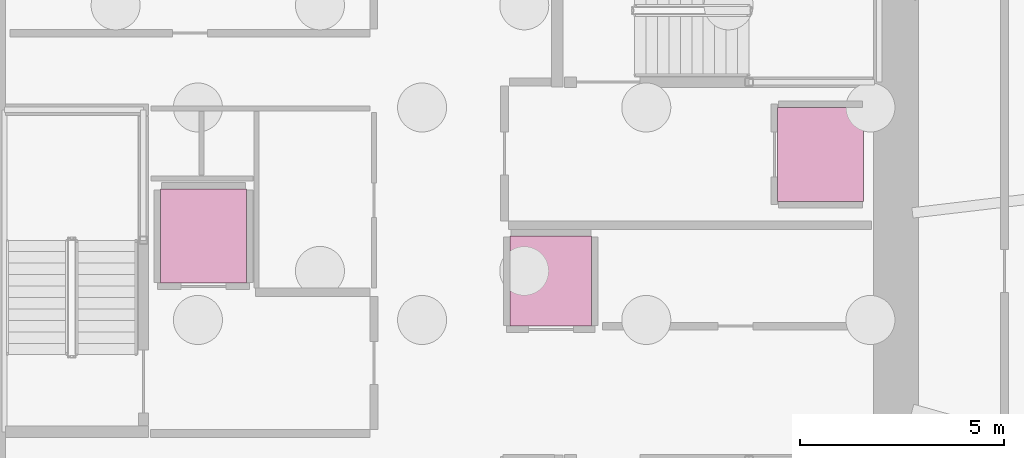
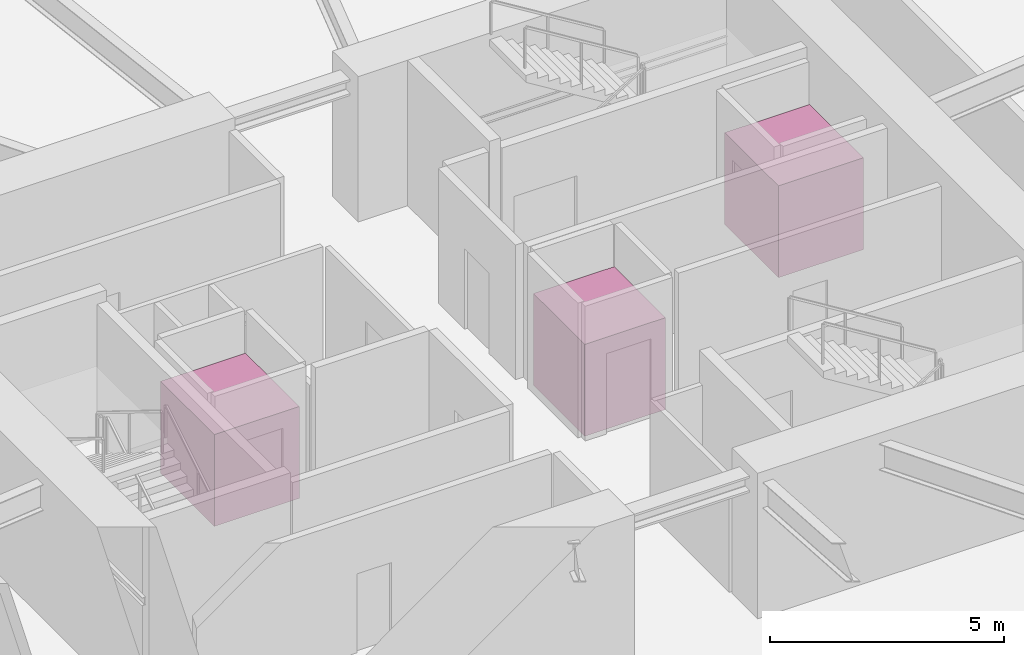
# One storey, part 12 of 12: 3 transport elements.
"""IFC4 building model written with IfcOpenShell, lengths in metres."""

from ifc_helpers import new_model, si_unit, direction, frame, origin, origin_2d, place, context, subcontext, project, spatial, rectangle, extrude, material, type_object, element, save


model = new_model("IFC4")

# Units and contexts
model_context = context("Model", 3, precision=1e-05, world=origin(), true_north=direction((0.0, 1.0)))
body_context = subcontext(model_context, "Body", "Model", "MODEL_VIEW")
ifc_project = project(units=[si_unit("LENGTHUNIT", "METRE"), si_unit("AREAUNIT", "SQUARE_METRE"), si_unit("VOLUMEUNIT", "CUBIC_METRE"), si_unit("PLANEANGLEUNIT", "RADIAN"), si_unit("MASSUNIT", "GRAM", prefix="KILO")], contexts=[model_context])

# Site, building, storey
site_placement = place(None, origin())
site = spatial("IfcSite", under=ifc_project, at=site_placement, CompositionType="ELEMENT")
building_placement = place(site_placement, origin())
building = spatial("IfcBuilding", under=site, at=building_placement, Name="Kazma Halo Residences", CompositionType="ELEMENT")
storey_placement = place(building_placement, frame((0.0, 0.0, -7.60009765625)))
storey = spatial("IfcBuildingStorey", under=building, at=storey_placement, Name="B02", CompositionType="ELEMENT", Elevation=-7.60009765625)

# Transport elements
ifc_material = material(Name="Brushed Stainless Steel Cab", Category="steel")
transport_element_type_1 = type_object("IfcTransportElementType", Name="LFT-FIRE", PredefinedType="ELEVATOR", material=ifc_material)
for number, where, z_axis, x_axis, name in (
    (1, (42.64990234375, 42.85009765625, 0.000244140625), (0.0, 0.0, 1.0), (1.0, 0.0, 0.0), "Elevator FL-01"),
    (2, (57.75, 44.85009765625, 0.000244140625), (0.0, 0.0, 1.0), (1.0, 0.0, 0.0), "Elevator FL-02"),
):
    element("IfcTransportElement", number, at=place(storey_placement, frame(where, z_axis=z_axis, x_axis=x_axis)), inside=storey, type_object=transport_element_type_1, Name=name, PredefinedType="ELEVATOR", context=body_context, shape_type="SweptSolid", body=[
        extrude(rectangle(XDim=2.10009765625, YDim=2.300048828125, at=origin_2d()), origin(), (0.0, 0.0, 1.0), 2.39990234375),
    ])
transport_element_type_2 = type_object("IfcTransportElementType", Name="LFT-SERVICE", PredefinedType="ELEVATOR", material=ifc_material)
transport_element_placement = place(storey_placement, frame((51.14990234375, 41.75, 0.000244140625), z_axis=(0.0, 0.0, 1.0), x_axis=(1.0, 0.0, 0.0)))
element("IfcTransportElement", 3, at=transport_element_placement, inside=storey, type_object=transport_element_type_2, Name="Elevator SV-01", PredefinedType="ELEVATOR", context=body_context, shape_type="SweptSolid", body=[
    extrude(rectangle(XDim=2.0, YDim=2.199951171875, at=origin_2d()), origin(), (0.0, 0.0, 1.0), 2.39990234375),
])

save(model, "model.ifc")
